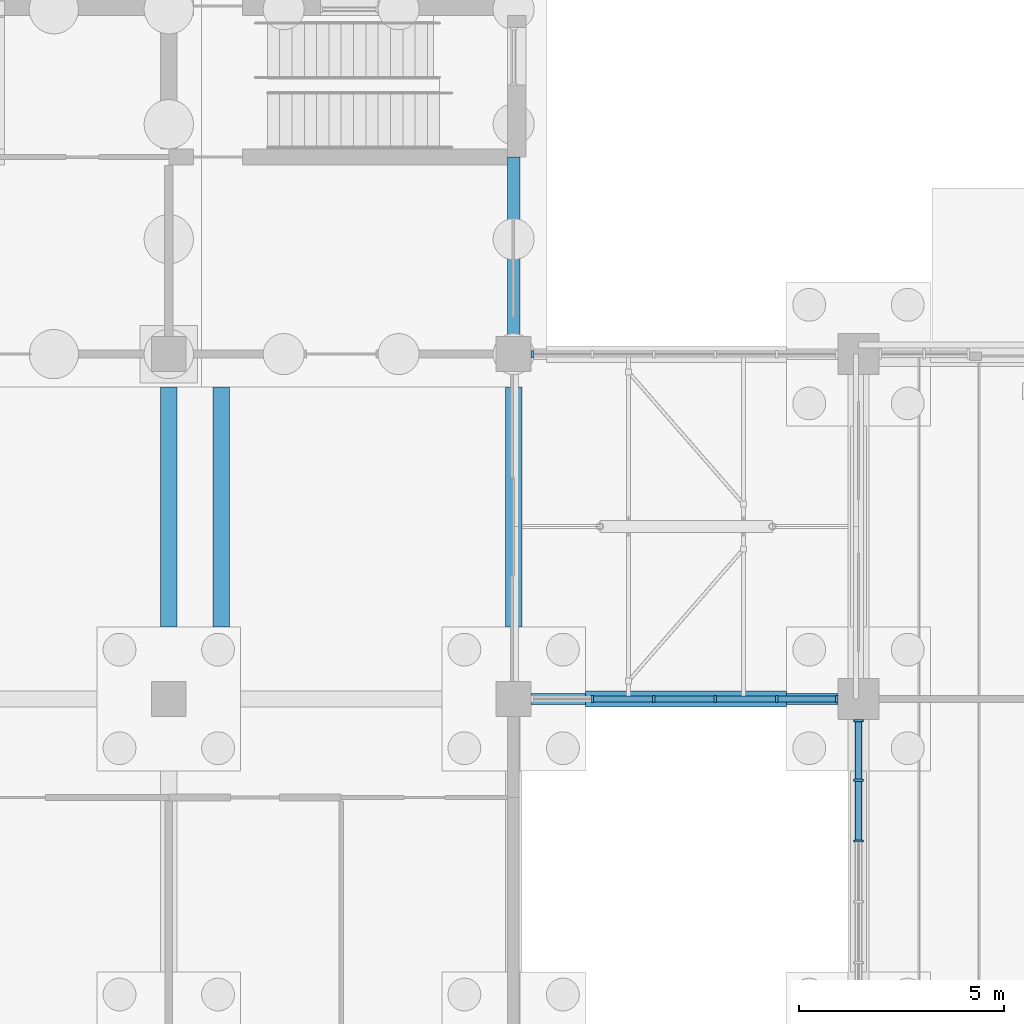
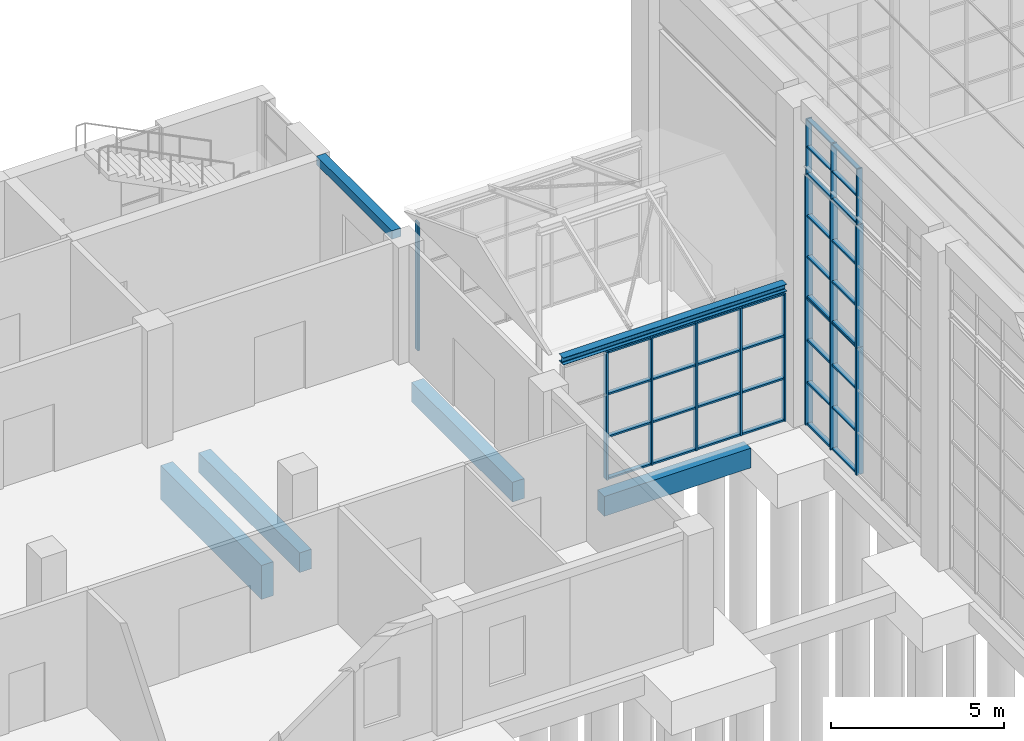
# One storey, part 51 of 138: 53 members, 6 beams, 5 elements without a shape of their own.
"""IFC4 building model written with IfcOpenShell, lengths in metres."""

from ifc_helpers import new_model, si_unit, direction, frame, origin, origin_2d, place, context, subcontext, project, spatial, rectangle, i_section, extrude, material, material_profile, profile_set, type_object, element, aggregate, save


model = new_model("IFC4")

# Units and contexts
model_context = context("Model", 3, precision=1e-05, world=origin(), true_north=direction((0.0, 1.0)))
body_context = subcontext(model_context, "Body", "Model", "MODEL_VIEW")
ifc_project = project(units=[si_unit("LENGTHUNIT", "METRE"), si_unit("AREAUNIT", "SQUARE_METRE"), si_unit("VOLUMEUNIT", "CUBIC_METRE"), si_unit("PLANEANGLEUNIT", "RADIAN"), si_unit("MASSUNIT", "GRAM", prefix="KILO")], contexts=[model_context])

# Site, building, storey
site_placement = place(None, origin())
site = spatial("IfcSite", under=ifc_project, at=site_placement, CompositionType="ELEMENT")
building_placement = place(site_placement, origin())
building = spatial("IfcBuilding", under=site, at=building_placement, Name="Yavir Park General Hospital", CompositionType="ELEMENT")
storey_placement = place(building_placement, origin())
storey = spatial("IfcBuildingStorey", under=building, at=storey_placement, Name="L00", CompositionType="ELEMENT", Elevation=0.0)

# Curtain wall, members
ifc_material_1 = material(Name="Aluminium curtain wall frame with insulated glazing", Category="aluminium")
curtain_wall_type_1 = type_object("IfcCurtainWallType", Name="Glazed link walls, 4525 high, 1400 module", PredefinedType="NOTDEFINED", material=ifc_material_1)
curtain_wall_1_placement = place(storey_placement, origin())
curtain_wall_1 = element("IfcCurtainWall", 1, at=curtain_wall_1_placement, inside=storey, type_object=curtain_wall_type_1, Name="CW38 L00-017", PredefinedType="NOTDEFINED")
ifc_material_2 = material(Name="Aluminium", Category="aluminium")
ifc_material_profile_1 = material_profile(ifc_material_2, rectangle(XDim=0.179931640625, YDim=0.06005859375, at=origin_2d()), Name="AL 60x180")
ifc_profile_set_1 = profile_set([ifc_material_profile_1], Name="Aluminium")
member_type_1 = type_object("IfcMemberType", Name="Glazed link walls, 4525 high mullion 60 x 180", PredefinedType="MULLION", material=ifc_profile_set_1)
member_1_placement = place(storey_placement, frame((69.1201171875, 58.800048828125, 0.0), z_axis=(0.0, 0.0, 1.0), x_axis=(0.0, 1.0, 0.0)))
member_1 = element("IfcMember", 2, at=member_1_placement, type_object=member_type_1, Name="CW38 mullion 2", PredefinedType="MULLION", context=body_context, shape_type="SweptSolid", body=[
    extrude(rectangle(XDim=0.179931640625, YDim=0.06005859375, at=origin_2d()), origin(), (0.0, 0.0, 1.0), 4.52490234375),
])
member_2_placement = place(storey_placement, frame((70.614990234375, 58.800048828125, 0.0), z_axis=(0.0, 0.0, 1.0), x_axis=(0.0, 1.0, 0.0)))
member_2 = element("IfcMember", 3, at=member_2_placement, type_object=member_type_1, Name="CW38 mullion 3", PredefinedType="MULLION", context=body_context, shape_type="SweptSolid", body=[
    extrude(rectangle(XDim=0.179931640625, YDim=0.06005859375, at=origin_2d()), origin(), (0.0, 0.0, 1.0), 4.52490234375),
])
member_3_placement = place(storey_placement, frame((72.110107421875, 58.800048828125, 0.0), z_axis=(0.0, 0.0, 1.0), x_axis=(0.0, 1.0, 0.0)))
member_3 = element("IfcMember", 4, at=member_3_placement, type_object=member_type_1, Name="CW38 mullion 4", PredefinedType="MULLION", context=body_context, shape_type="SweptSolid", body=[
    extrude(rectangle(XDim=0.179931640625, YDim=0.06005859375, at=origin_2d()), origin(), (0.0, 0.0, 1.0), 4.52490234375),
])
member_4_placement = place(storey_placement, frame((73.60498046875, 58.800048828125, 0.0), z_axis=(0.0, 0.0, 1.0), x_axis=(0.0, 1.0, 0.0)))
member_4 = element("IfcMember", 5, at=member_4_placement, type_object=member_type_1, Name="CW38 mullion 5", PredefinedType="MULLION", context=body_context, shape_type="SweptSolid", body=[
    extrude(rectangle(XDim=0.179931640625, YDim=0.06005859375, at=origin_2d()), origin(), (0.0, 0.0, 1.0), 4.52490234375),
])
member_5_placement = place(storey_placement, frame((75.070068359375, 58.800048828125, 0.0), z_axis=(0.0, 0.0, 1.0), x_axis=(0.0, 1.0, 0.0)))
member_5 = element("IfcMember", 6, at=member_5_placement, type_object=member_type_1, Name="CW38 mullion 6", PredefinedType="MULLION", context=body_context, shape_type="SweptSolid", body=[
    extrude(rectangle(XDim=0.179931640625, YDim=0.06005859375, at=origin_2d()), origin(), (0.0, 0.0, 1.0), 4.52490234375),
])

# Curtain wall, member
curtain_wall_2_placement = place(storey_placement, origin())
curtain_wall_2 = element("IfcCurtainWall", 7, at=curtain_wall_2_placement, inside=storey, type_object=curtain_wall_type_1, Name="CW38 L00-022", PredefinedType="NOTDEFINED")
member_6_placement = place(storey_placement, frame((67.655029296875, 67.199951171875, 0.0), z_axis=(0.0, 0.0, 1.0), x_axis=(0.0, 1.0, 0.0)))
member_6 = element("IfcMember", 8, at=member_6_placement, type_object=member_type_1, Name="CW38 mullion 1", PredefinedType="MULLION", context=body_context, shape_type="SweptSolid", body=[
    extrude(rectangle(XDim=0.179931640625, YDim=0.06005859375, at=origin_2d()), origin(), (0.0, 0.0, 1.0), 4.52490234375),
])
aggregate(curtain_wall_2, [member_6])

# Member
ifc_material_3 = material(Name="Aluminium", Category="aluminium")
ifc_material_profile_2 = material_profile(ifc_material_3, rectangle(XDim=0.139892578125, YDim=0.06005859375, at=origin_2d()), Name="AL 140x60")
ifc_profile_set_2 = profile_set([ifc_material_profile_2], Name="Aluminium")
member_type_2 = type_object("IfcMemberType", Name="Glazed link walls, 4525 high transom 60 x 140", PredefinedType="MULLION", material=ifc_profile_set_2)
member_7_placement = place(storey_placement, frame((69.14990234375, 58.800048828125, 0.030029296875), z_axis=(1.0, 0.0, 0.0), x_axis=(0.0, 1.0, 0.0)))
member_7 = element("IfcMember", 9, at=member_7_placement, type_object=member_type_2, Name="CW38 transom 2.1", PredefinedType="MULLION", context=body_context, shape_type="SweptSolid", body=[
    extrude(rectangle(XDim=0.139892578125, YDim=0.06005859375, at=origin_2d()), origin(), (0.0, 0.0, 1.0), 1.43505859375),
])

member_8_placement = place(storey_placement, frame((69.14990234375, 58.800048828125, 1.50830078125), z_axis=(1.0, 0.0, 0.0), x_axis=(0.0, 1.0, 0.0)))
member_8 = element("IfcMember", 10, at=member_8_placement, type_object=member_type_2, Name="CW38 transom 2.2", PredefinedType="MULLION", context=body_context, shape_type="SweptSolid", body=[
    extrude(rectangle(XDim=0.139892578125, YDim=0.06005859375, at=origin_2d()), origin(), (0.0, 0.0, 1.0), 1.43505859375),
])

member_9_placement = place(storey_placement, frame((69.14990234375, 58.800048828125, 3.0166015625), z_axis=(1.0, 0.0, 0.0), x_axis=(0.0, 1.0, 0.0)))
member_9 = element("IfcMember", 11, at=member_9_placement, type_object=member_type_2, Name="CW38 transom 2.3", PredefinedType="MULLION", context=body_context, shape_type="SweptSolid", body=[
    extrude(rectangle(XDim=0.139892578125, YDim=0.06005859375, at=origin_2d()), origin(), (0.0, 0.0, 1.0), 1.43505859375),
])

member_10_placement = place(storey_placement, frame((69.14990234375, 58.800048828125, 4.4951171875), z_axis=(1.0, 0.0, 0.0), x_axis=(0.0, 1.0, 0.0)))
member_10 = element("IfcMember", 12, at=member_10_placement, type_object=member_type_2, Name="CW38 transom 2.4", PredefinedType="MULLION", context=body_context, shape_type="SweptSolid", body=[
    extrude(rectangle(XDim=0.139892578125, YDim=0.06005859375, at=origin_2d()), origin(), (0.0, 0.0, 1.0), 1.43505859375),
])

member_11_placement = place(storey_placement, frame((70.64501953125, 58.800048828125, 0.030029296875), z_axis=(1.0, 0.0, 0.0), x_axis=(0.0, 1.0, 0.0)))
member_11 = element("IfcMember", 13, at=member_11_placement, type_object=member_type_2, Name="CW38 transom 3.1", PredefinedType="MULLION", context=body_context, shape_type="SweptSolid", body=[
    extrude(rectangle(XDim=0.139892578125, YDim=0.06005859375, at=origin_2d()), origin(), (0.0, 0.0, 1.0), 1.43505859375),
])

member_12_placement = place(storey_placement, frame((70.64501953125, 58.800048828125, 1.50830078125), z_axis=(1.0, 0.0, 0.0), x_axis=(0.0, 1.0, 0.0)))
member_12 = element("IfcMember", 14, at=member_12_placement, type_object=member_type_2, Name="CW38 transom 3.2", PredefinedType="MULLION", context=body_context, shape_type="SweptSolid", body=[
    extrude(rectangle(XDim=0.139892578125, YDim=0.06005859375, at=origin_2d()), origin(), (0.0, 0.0, 1.0), 1.43505859375),
])

member_13_placement = place(storey_placement, frame((70.64501953125, 58.800048828125, 3.0166015625), z_axis=(1.0, 0.0, 0.0), x_axis=(0.0, 1.0, 0.0)))
member_13 = element("IfcMember", 15, at=member_13_placement, type_object=member_type_2, Name="CW38 transom 3.3", PredefinedType="MULLION", context=body_context, shape_type="SweptSolid", body=[
    extrude(rectangle(XDim=0.139892578125, YDim=0.06005859375, at=origin_2d()), origin(), (0.0, 0.0, 1.0), 1.43505859375),
])

member_14_placement = place(storey_placement, frame((70.64501953125, 58.800048828125, 4.4951171875), z_axis=(1.0, 0.0, 0.0), x_axis=(0.0, 1.0, 0.0)))
member_14 = element("IfcMember", 16, at=member_14_placement, type_object=member_type_2, Name="CW38 transom 3.4", PredefinedType="MULLION", context=body_context, shape_type="SweptSolid", body=[
    extrude(rectangle(XDim=0.139892578125, YDim=0.06005859375, at=origin_2d()), origin(), (0.0, 0.0, 1.0), 1.43505859375),
])

member_15_placement = place(storey_placement, frame((72.139892578125, 58.800048828125, 0.030029296875), z_axis=(1.0, 0.0, 0.0), x_axis=(0.0, 1.0, 0.0)))
member_15 = element("IfcMember", 17, at=member_15_placement, type_object=member_type_2, Name="CW38 transom 4.1", PredefinedType="MULLION", context=body_context, shape_type="SweptSolid", body=[
    extrude(rectangle(XDim=0.139892578125, YDim=0.06005859375, at=origin_2d()), origin(), (0.0, 0.0, 1.0), 1.43505859375),
])

member_16_placement = place(storey_placement, frame((72.139892578125, 58.800048828125, 1.50830078125), z_axis=(1.0, 0.0, 0.0), x_axis=(0.0, 1.0, 0.0)))
member_16 = element("IfcMember", 18, at=member_16_placement, type_object=member_type_2, Name="CW38 transom 4.2", PredefinedType="MULLION", context=body_context, shape_type="SweptSolid", body=[
    extrude(rectangle(XDim=0.139892578125, YDim=0.06005859375, at=origin_2d()), origin(), (0.0, 0.0, 1.0), 1.43505859375),
])

member_17_placement = place(storey_placement, frame((72.139892578125, 58.800048828125, 3.0166015625), z_axis=(1.0, 0.0, 0.0), x_axis=(0.0, 1.0, 0.0)))
member_17 = element("IfcMember", 19, at=member_17_placement, type_object=member_type_2, Name="CW38 transom 4.3", PredefinedType="MULLION", context=body_context, shape_type="SweptSolid", body=[
    extrude(rectangle(XDim=0.139892578125, YDim=0.06005859375, at=origin_2d()), origin(), (0.0, 0.0, 1.0), 1.43505859375),
])

member_18_placement = place(storey_placement, frame((72.139892578125, 58.800048828125, 4.4951171875), z_axis=(1.0, 0.0, 0.0), x_axis=(0.0, 1.0, 0.0)))
member_18 = element("IfcMember", 20, at=member_18_placement, type_object=member_type_2, Name="CW38 transom 4.4", PredefinedType="MULLION", context=body_context, shape_type="SweptSolid", body=[
    extrude(rectangle(XDim=0.139892578125, YDim=0.06005859375, at=origin_2d()), origin(), (0.0, 0.0, 1.0), 1.43505859375),
])

member_19_placement = place(storey_placement, frame((73.635009765625, 58.800048828125, 0.030029296875), z_axis=(1.0, 0.0, 0.0), x_axis=(0.0, 1.0, 0.0)))
member_19 = element("IfcMember", 21, at=member_19_placement, type_object=member_type_2, Name="CW38 transom 5.1", PredefinedType="MULLION", context=body_context, shape_type="SweptSolid", body=[
    extrude(rectangle(XDim=0.139892578125, YDim=0.06005859375, at=origin_2d()), origin(), (0.0, 0.0, 1.0), 1.405029296875),
])

member_20_placement = place(storey_placement, frame((73.635009765625, 58.800048828125, 1.50830078125), z_axis=(1.0, 0.0, 0.0), x_axis=(0.0, 1.0, 0.0)))
member_20 = element("IfcMember", 22, at=member_20_placement, type_object=member_type_2, Name="CW38 transom 5.2", PredefinedType="MULLION", context=body_context, shape_type="SweptSolid", body=[
    extrude(rectangle(XDim=0.139892578125, YDim=0.06005859375, at=origin_2d()), origin(), (0.0, 0.0, 1.0), 1.405029296875),
])

member_21_placement = place(storey_placement, frame((73.635009765625, 58.800048828125, 3.0166015625), z_axis=(1.0, 0.0, 0.0), x_axis=(0.0, 1.0, 0.0)))
member_21 = element("IfcMember", 23, at=member_21_placement, type_object=member_type_2, Name="CW38 transom 5.3", PredefinedType="MULLION", context=body_context, shape_type="SweptSolid", body=[
    extrude(rectangle(XDim=0.139892578125, YDim=0.06005859375, at=origin_2d()), origin(), (0.0, 0.0, 1.0), 1.405029296875),
])

member_22_placement = place(storey_placement, frame((73.635009765625, 58.800048828125, 4.4951171875), z_axis=(1.0, 0.0, 0.0), x_axis=(0.0, 1.0, 0.0)))
member_22 = element("IfcMember", 24, at=member_22_placement, type_object=member_type_2, Name="CW38 transom 5.4", PredefinedType="MULLION", context=body_context, shape_type="SweptSolid", body=[
    extrude(rectangle(XDim=0.139892578125, YDim=0.06005859375, at=origin_2d()), origin(), (0.0, 0.0, 1.0), 1.405029296875),
])

aggregate(curtain_wall_1, [member_1, member_2, member_3, member_4, member_5, member_7, member_8, member_9, member_10, member_11, member_12, member_13, member_14, member_15, member_16, member_17, member_18, member_19, member_20, member_21, member_22])

# Beam
ifc_material_4 = material(Name="Steel S355", Category="steel")
ifc_material_profile_3 = material_profile(ifc_material_4, i_section(OverallWidth=0.260009765625, OverallDepth=0.25, WebThickness=0.007568359375, FlangeThickness=0.012451171875, FilletRadius=0.02392578125, at=origin_2d()), Name="HEA260")
ifc_profile_set_3 = profile_set([ifc_material_profile_3], Name="Steel S355")
beam_type_1 = type_object("IfcBeamType", Name="HEA 260 eave beam", PredefinedType="BEAM", material=ifc_profile_set_3)
beam_1_placement = place(storey_placement, frame((67.625, 58.800048828125, 4.7470703125), z_axis=(1.0, 0.0, 0.0), x_axis=(0.0, 1.0, 0.0)))
element("IfcBeam", 25, at=beam_1_placement, inside=storey, type_object=beam_type_1, Name="RF:LINK:frame:E:0", PredefinedType="BEAM", context=body_context, shape_type="SweptSolid", body=[
    extrude(i_section(OverallWidth=0.260009765625, OverallDepth=0.25, WebThickness=0.007568359375, FlangeThickness=0.012451171875, FilletRadius=0.02392578125, at=origin_2d()), origin(), (0.0, 0.0, 1.0), 7.47509765625),
])

# Curtain wall, members
ifc_material_5 = material(Name="Aluminium curtain wall frame with insulated glazing", Category="aluminium")
curtain_wall_type_2 = type_object("IfcCurtainWallType", Name="Main hall glazing, clerestory band, 1970 high, 1400 module", PredefinedType="NOTDEFINED", material=ifc_material_5)
curtain_wall_3_placement = place(storey_placement, origin())
curtain_wall_3 = element("IfcCurtainWall", 26, at=curtain_wall_3_placement, inside=storey, type_object=curtain_wall_type_2, Name="CW35 L00-055", PredefinedType="NOTDEFINED")
ifc_material_6 = material(Name="Aluminium", Category="aluminium")
ifc_material_profile_4 = material_profile(ifc_material_6, rectangle(XDim=0.199951171875, YDim=0.050048828125, at=origin_2d()), Name="AL 50x200")
ifc_profile_set_4 = profile_set([ifc_material_profile_4], Name="Aluminium")
member_type_3 = type_object("IfcMemberType", Name="Main hall glazing, clerestory band, 1970 high mullion 50 x 200", PredefinedType="MULLION", material=ifc_profile_set_4)
member_23_placement = place(storey_placement, frame((75.60009765625, 55.340087890625, 8.844970703125), z_axis=(0.0, 0.0, 1.0), x_axis=(-1.0, 0.0, 0.0)))
member_23 = element("IfcMember", 27, at=member_23_placement, type_object=member_type_3, Name="CW35 mullion 4", PredefinedType="MULLION", context=body_context, shape_type="SweptSolid", body=[
    extrude(rectangle(XDim=0.199951171875, YDim=0.050048828125, at=origin_2d()), origin(), (0.0, 0.0, 1.0), 1.969970703125),
])
member_24_placement = place(storey_placement, frame((75.60009765625, 56.820068359375, 8.844970703125), z_axis=(0.0, 0.0, 1.0), x_axis=(-1.0, 0.0, 0.0)))
member_24 = element("IfcMember", 28, at=member_24_placement, type_object=member_type_3, Name="CW35 mullion 5", PredefinedType="MULLION", context=body_context, shape_type="SweptSolid", body=[
    extrude(rectangle(XDim=0.199951171875, YDim=0.050048828125, at=origin_2d()), origin(), (0.0, 0.0, 1.0), 1.969970703125),
])
member_25_placement = place(storey_placement, frame((75.60009765625, 58.27490234375, 8.844970703125), z_axis=(0.0, 0.0, 1.0), x_axis=(-1.0, 0.0, 0.0)))
member_25 = element("IfcMember", 29, at=member_25_placement, type_object=member_type_3, Name="CW35 mullion 6", PredefinedType="MULLION", context=body_context, shape_type="SweptSolid", body=[
    extrude(rectangle(XDim=0.199951171875, YDim=0.050048828125, at=origin_2d()), origin(), (0.0, 0.0, 1.0), 1.969970703125),
])
ifc_material_7 = material(Name="Aluminium", Category="aluminium")
ifc_material_profile_5 = material_profile(ifc_material_7, rectangle(XDim=0.139892578125, YDim=0.050048828125, at=origin_2d()), Name="AL 140x50")
ifc_profile_set_5 = profile_set([ifc_material_profile_5], Name="Aluminium")
member_type_4 = type_object("IfcMemberType", Name="Main hall glazing, clerestory band, 1970 high transom 50 x 140", PredefinedType="MULLION", material=ifc_profile_set_5)
member_26_placement = place(storey_placement, frame((75.60009765625, 55.364990234375, 8.8701171875), z_axis=(0.0, 1.0, 0.0), x_axis=(-1.0, 0.0, 0.0)))
member_26 = element("IfcMember", 30, at=member_26_placement, type_object=member_type_4, Name="CW35 transom 4.1", PredefinedType="MULLION", context=body_context, shape_type="SweptSolid", body=[
    extrude(rectangle(XDim=0.139892578125, YDim=0.050048828125, at=origin_2d()), origin(), (0.0, 0.0, 1.0), 1.429931640625),
])
member_27_placement = place(storey_placement, frame((75.60009765625, 55.364990234375, 9.830078125), z_axis=(0.0, 1.0, 0.0), x_axis=(-1.0, 0.0, 0.0)))
member_27 = element("IfcMember", 31, at=member_27_placement, type_object=member_type_4, Name="CW35 transom 4.2", PredefinedType="MULLION", context=body_context, shape_type="SweptSolid", body=[
    extrude(rectangle(XDim=0.139892578125, YDim=0.050048828125, at=origin_2d()), origin(), (0.0, 0.0, 1.0), 1.429931640625),
])
member_28_placement = place(storey_placement, frame((75.60009765625, 55.364990234375, 10.7900390625), z_axis=(0.0, 1.0, 0.0), x_axis=(-1.0, 0.0, 0.0)))
member_28 = element("IfcMember", 32, at=member_28_placement, type_object=member_type_4, Name="CW35 transom 4.3", PredefinedType="MULLION", context=body_context, shape_type="SweptSolid", body=[
    extrude(rectangle(XDim=0.139892578125, YDim=0.050048828125, at=origin_2d()), origin(), (0.0, 0.0, 1.0), 1.429931640625),
])
member_29_placement = place(storey_placement, frame((75.60009765625, 56.844970703125, 8.8701171875), z_axis=(0.0, 1.0, 0.0), x_axis=(-1.0, 0.0, 0.0)))
member_29 = element("IfcMember", 33, at=member_29_placement, type_object=member_type_4, Name="CW35 transom 5.1", PredefinedType="MULLION", context=body_context, shape_type="SweptSolid", body=[
    extrude(rectangle(XDim=0.139892578125, YDim=0.050048828125, at=origin_2d()), origin(), (0.0, 0.0, 1.0), 1.405029296875),
])
member_30_placement = place(storey_placement, frame((75.60009765625, 56.844970703125, 9.830078125), z_axis=(0.0, 1.0, 0.0), x_axis=(-1.0, 0.0, 0.0)))
member_30 = element("IfcMember", 34, at=member_30_placement, type_object=member_type_4, Name="CW35 transom 5.2", PredefinedType="MULLION", context=body_context, shape_type="SweptSolid", body=[
    extrude(rectangle(XDim=0.139892578125, YDim=0.050048828125, at=origin_2d()), origin(), (0.0, 0.0, 1.0), 1.405029296875),
])
member_31_placement = place(storey_placement, frame((75.60009765625, 56.844970703125, 10.7900390625), z_axis=(0.0, 1.0, 0.0), x_axis=(-1.0, 0.0, 0.0)))
member_31 = element("IfcMember", 35, at=member_31_placement, type_object=member_type_4, Name="CW35 transom 5.3", PredefinedType="MULLION", context=body_context, shape_type="SweptSolid", body=[
    extrude(rectangle(XDim=0.139892578125, YDim=0.050048828125, at=origin_2d()), origin(), (0.0, 0.0, 1.0), 1.405029296875),
])
aggregate(curtain_wall_3, [member_23, member_24, member_25, member_26, member_27, member_28, member_29, member_30, member_31])

ifc_material_8 = material(Name="Aluminium curtain wall frame with insulated glazing", Category="aluminium")
curtain_wall_type_3 = type_object("IfcCurtainWallType", Name="Main hall glazing, lower band, 4500 high, 1400 module", PredefinedType="NOTDEFINED", material=ifc_material_8)
curtain_wall_4_placement = place(storey_placement, origin())
curtain_wall_4 = element("IfcCurtainWall", 36, at=curtain_wall_4_placement, inside=storey, type_object=curtain_wall_type_3, Name="CW33 L00-053", PredefinedType="NOTDEFINED")
ifc_material_9 = material(Name="Aluminium", Category="aluminium")
ifc_material_profile_6 = material_profile(ifc_material_9, rectangle(XDim=0.239990234375, YDim=0.06005859375, at=origin_2d()), Name="AL 60x240")
ifc_profile_set_6 = profile_set([ifc_material_profile_6], Name="Aluminium")
member_type_5 = type_object("IfcMemberType", Name="Main hall glazing, lower band, 4500 high mullion 60 x 240", PredefinedType="MULLION", material=ifc_profile_set_6)
member_32_placement = place(storey_placement, frame((75.60009765625, 55.340087890625, 0.0), z_axis=(0.0, 0.0, 1.0), x_axis=(-1.0, 0.0, 0.0)))
member_32 = element("IfcMember", 37, at=member_32_placement, type_object=member_type_5, Name="CW33 mullion 4", PredefinedType="MULLION", context=body_context, shape_type="SweptSolid", body=[
    extrude(rectangle(XDim=0.239990234375, YDim=0.06005859375, at=origin_2d()), origin(), (0.0, 0.0, 1.0), 4.5),
])
member_33_placement = place(storey_placement, frame((75.60009765625, 56.820068359375, 0.0), z_axis=(0.0, 0.0, 1.0), x_axis=(-1.0, 0.0, 0.0)))
member_33 = element("IfcMember", 38, at=member_33_placement, type_object=member_type_5, Name="CW33 mullion 5", PredefinedType="MULLION", context=body_context, shape_type="SweptSolid", body=[
    extrude(rectangle(XDim=0.239990234375, YDim=0.06005859375, at=origin_2d()), origin(), (0.0, 0.0, 1.0), 4.5),
])
member_34_placement = place(storey_placement, frame((75.60009765625, 58.27001953125, 0.0), z_axis=(0.0, 0.0, 1.0), x_axis=(-1.0, 0.0, 0.0)))
member_34 = element("IfcMember", 39, at=member_34_placement, type_object=member_type_5, Name="CW33 mullion 6", PredefinedType="MULLION", context=body_context, shape_type="SweptSolid", body=[
    extrude(rectangle(XDim=0.239990234375, YDim=0.06005859375, at=origin_2d()), origin(), (0.0, 0.0, 1.0), 4.5),
])
ifc_material_10 = material(Name="Aluminium", Category="aluminium")
ifc_material_profile_7 = material_profile(ifc_material_10, rectangle(XDim=0.159912109375, YDim=0.06005859375, at=origin_2d()), Name="AL 160x60")
ifc_profile_set_7 = profile_set([ifc_material_profile_7], Name="Aluminium")
member_type_6 = type_object("IfcMemberType", Name="Main hall glazing, lower band, 4500 high transom 60 x 160", PredefinedType="MULLION", material=ifc_profile_set_7)
member_35_placement = place(storey_placement, frame((75.60009765625, 55.3701171875, 0.030029296875), z_axis=(0.0, 1.0, 0.0), x_axis=(-1.0, 0.0, 0.0)))
member_35 = element("IfcMember", 40, at=member_35_placement, type_object=member_type_6, Name="CW33 transom 4.1", PredefinedType="MULLION", context=body_context, shape_type="SweptSolid", body=[
    extrude(rectangle(XDim=0.159912109375, YDim=0.06005859375, at=origin_2d()), origin(), (0.0, 0.0, 1.0), 1.419921875),
])
member_36_placement = place(storey_placement, frame((75.60009765625, 55.3701171875, 1.5), z_axis=(0.0, 1.0, 0.0), x_axis=(-1.0, 0.0, 0.0)))
member_36 = element("IfcMember", 41, at=member_36_placement, type_object=member_type_6, Name="CW33 transom 4.2", PredefinedType="MULLION", context=body_context, shape_type="SweptSolid", body=[
    extrude(rectangle(XDim=0.159912109375, YDim=0.06005859375, at=origin_2d()), origin(), (0.0, 0.0, 1.0), 1.419921875),
])
member_37_placement = place(storey_placement, frame((75.60009765625, 55.3701171875, 3.0), z_axis=(0.0, 1.0, 0.0), x_axis=(-1.0, 0.0, 0.0)))
member_37 = element("IfcMember", 42, at=member_37_placement, type_object=member_type_6, Name="CW33 transom 4.3", PredefinedType="MULLION", context=body_context, shape_type="SweptSolid", body=[
    extrude(rectangle(XDim=0.159912109375, YDim=0.06005859375, at=origin_2d()), origin(), (0.0, 0.0, 1.0), 1.419921875),
])
member_38_placement = place(storey_placement, frame((75.60009765625, 55.3701171875, 4.469970703125), z_axis=(0.0, 1.0, 0.0), x_axis=(-1.0, 0.0, 0.0)))
member_38 = element("IfcMember", 43, at=member_38_placement, type_object=member_type_6, Name="CW33 transom 4.4", PredefinedType="MULLION", context=body_context, shape_type="SweptSolid", body=[
    extrude(rectangle(XDim=0.159912109375, YDim=0.06005859375, at=origin_2d()), origin(), (0.0, 0.0, 1.0), 1.419921875),
])
member_39_placement = place(storey_placement, frame((75.60009765625, 56.85009765625, 0.030029296875), z_axis=(0.0, 1.0, 0.0), x_axis=(-1.0, 0.0, 0.0)))
member_39 = element("IfcMember", 44, at=member_39_placement, type_object=member_type_6, Name="CW33 transom 5.1", PredefinedType="MULLION", context=body_context, shape_type="SweptSolid", body=[
    extrude(rectangle(XDim=0.159912109375, YDim=0.06005859375, at=origin_2d()), origin(), (0.0, 0.0, 1.0), 1.389892578125),
])
member_40_placement = place(storey_placement, frame((75.60009765625, 56.85009765625, 1.5), z_axis=(0.0, 1.0, 0.0), x_axis=(-1.0, 0.0, 0.0)))
member_40 = element("IfcMember", 45, at=member_40_placement, type_object=member_type_6, Name="CW33 transom 5.2", PredefinedType="MULLION", context=body_context, shape_type="SweptSolid", body=[
    extrude(rectangle(XDim=0.159912109375, YDim=0.06005859375, at=origin_2d()), origin(), (0.0, 0.0, 1.0), 1.389892578125),
])
member_41_placement = place(storey_placement, frame((75.60009765625, 56.85009765625, 3.0), z_axis=(0.0, 1.0, 0.0), x_axis=(-1.0, 0.0, 0.0)))
member_41 = element("IfcMember", 46, at=member_41_placement, type_object=member_type_6, Name="CW33 transom 5.3", PredefinedType="MULLION", context=body_context, shape_type="SweptSolid", body=[
    extrude(rectangle(XDim=0.159912109375, YDim=0.06005859375, at=origin_2d()), origin(), (0.0, 0.0, 1.0), 1.389892578125),
])
member_42_placement = place(storey_placement, frame((75.60009765625, 56.85009765625, 4.469970703125), z_axis=(0.0, 1.0, 0.0), x_axis=(-1.0, 0.0, 0.0)))
member_42 = element("IfcMember", 47, at=member_42_placement, type_object=member_type_6, Name="CW33 transom 5.4", PredefinedType="MULLION", context=body_context, shape_type="SweptSolid", body=[
    extrude(rectangle(XDim=0.159912109375, YDim=0.06005859375, at=origin_2d()), origin(), (0.0, 0.0, 1.0), 1.389892578125),
])
aggregate(curtain_wall_4, [member_32, member_33, member_34, member_35, member_36, member_37, member_38, member_39, member_40, member_41, member_42])

ifc_material_11 = material(Name="Aluminium curtain wall frame with insulated glazing", Category="aluminium")
curtain_wall_type_4 = type_object("IfcCurtainWallType", Name="Main hall glazing, upper band, 4345 high, 1400 module", PredefinedType="NOTDEFINED", material=ifc_material_11)
curtain_wall_5_placement = place(storey_placement, origin())
curtain_wall_5 = element("IfcCurtainWall", 48, at=curtain_wall_5_placement, inside=storey, type_object=curtain_wall_type_4, Name="CW52 L00-054", PredefinedType="NOTDEFINED")
ifc_material_12 = material(Name="Aluminium", Category="aluminium")
ifc_material_profile_8 = material_profile(ifc_material_12, rectangle(XDim=0.239990234375, YDim=0.06005859375, at=origin_2d()), Name="AL 60x240")
ifc_profile_set_8 = profile_set([ifc_material_profile_8], Name="Aluminium")
member_type_7 = type_object("IfcMemberType", Name="Main hall glazing, upper band, 4345 high mullion 60 x 240", PredefinedType="MULLION", material=ifc_profile_set_8)
member_43_placement = place(storey_placement, frame((75.60009765625, 55.340087890625, 4.5), z_axis=(0.0, 0.0, 1.0), x_axis=(-1.0, 0.0, 0.0)))
member_43 = element("IfcMember", 49, at=member_43_placement, type_object=member_type_7, Name="CW52 mullion 4", PredefinedType="MULLION", context=body_context, shape_type="SweptSolid", body=[
    extrude(rectangle(XDim=0.239990234375, YDim=0.06005859375, at=origin_2d()), origin(), (0.0, 0.0, 1.0), 4.344970703125),
])
member_44_placement = place(storey_placement, frame((75.60009765625, 56.820068359375, 4.5), z_axis=(0.0, 0.0, 1.0), x_axis=(-1.0, 0.0, 0.0)))
member_44 = element("IfcMember", 50, at=member_44_placement, type_object=member_type_7, Name="CW52 mullion 5", PredefinedType="MULLION", context=body_context, shape_type="SweptSolid", body=[
    extrude(rectangle(XDim=0.239990234375, YDim=0.06005859375, at=origin_2d()), origin(), (0.0, 0.0, 1.0), 4.344970703125),
])
member_45_placement = place(storey_placement, frame((75.60009765625, 58.27001953125, 4.5), z_axis=(0.0, 0.0, 1.0), x_axis=(-1.0, 0.0, 0.0)))
member_45 = element("IfcMember", 51, at=member_45_placement, type_object=member_type_7, Name="CW52 mullion 6", PredefinedType="MULLION", context=body_context, shape_type="SweptSolid", body=[
    extrude(rectangle(XDim=0.239990234375, YDim=0.06005859375, at=origin_2d()), origin(), (0.0, 0.0, 1.0), 4.344970703125),
])
ifc_material_13 = material(Name="Aluminium", Category="aluminium")
ifc_material_profile_9 = material_profile(ifc_material_13, rectangle(XDim=0.159912109375, YDim=0.06005859375, at=origin_2d()), Name="AL 160x60")
ifc_profile_set_9 = profile_set([ifc_material_profile_9], Name="Aluminium")
member_type_8 = type_object("IfcMemberType", Name="Main hall glazing, upper band, 4345 high transom 60 x 160", PredefinedType="MULLION", material=ifc_profile_set_9)
member_46_placement = place(storey_placement, frame((75.60009765625, 55.3701171875, 4.530029296875), z_axis=(0.0, 1.0, 0.0), x_axis=(-1.0, 0.0, 0.0)))
member_46 = element("IfcMember", 52, at=member_46_placement, type_object=member_type_8, Name="CW52 transom 4.1", PredefinedType="MULLION", context=body_context, shape_type="SweptSolid", body=[
    extrude(rectangle(XDim=0.159912109375, YDim=0.06005859375, at=origin_2d()), origin(), (0.0, 0.0, 1.0), 1.419921875),
])
member_47_placement = place(storey_placement, frame((75.60009765625, 55.3701171875, 5.9482421875), z_axis=(0.0, 1.0, 0.0), x_axis=(-1.0, 0.0, 0.0)))
member_47 = element("IfcMember", 53, at=member_47_placement, type_object=member_type_8, Name="CW52 transom 4.2", PredefinedType="MULLION", context=body_context, shape_type="SweptSolid", body=[
    extrude(rectangle(XDim=0.159912109375, YDim=0.06005859375, at=origin_2d()), origin(), (0.0, 0.0, 1.0), 1.419921875),
])
member_48_placement = place(storey_placement, frame((75.60009765625, 55.3701171875, 7.396728515625), z_axis=(0.0, 1.0, 0.0), x_axis=(-1.0, 0.0, 0.0)))
member_48 = element("IfcMember", 54, at=member_48_placement, type_object=member_type_8, Name="CW52 transom 4.3", PredefinedType="MULLION", context=body_context, shape_type="SweptSolid", body=[
    extrude(rectangle(XDim=0.159912109375, YDim=0.06005859375, at=origin_2d()), origin(), (0.0, 0.0, 1.0), 1.419921875),
])
member_49_placement = place(storey_placement, frame((75.60009765625, 55.3701171875, 8.81494140625), z_axis=(0.0, 1.0, 0.0), x_axis=(-1.0, 0.0, 0.0)))
member_49 = element("IfcMember", 55, at=member_49_placement, type_object=member_type_8, Name="CW52 transom 4.4", PredefinedType="MULLION", context=body_context, shape_type="SweptSolid", body=[
    extrude(rectangle(XDim=0.159912109375, YDim=0.06005859375, at=origin_2d()), origin(), (0.0, 0.0, 1.0), 1.419921875),
])
member_50_placement = place(storey_placement, frame((75.60009765625, 56.85009765625, 4.530029296875), z_axis=(0.0, 1.0, 0.0), x_axis=(-1.0, 0.0, 0.0)))
member_50 = element("IfcMember", 56, at=member_50_placement, type_object=member_type_8, Name="CW52 transom 5.1", PredefinedType="MULLION", context=body_context, shape_type="SweptSolid", body=[
    extrude(rectangle(XDim=0.159912109375, YDim=0.06005859375, at=origin_2d()), origin(), (0.0, 0.0, 1.0), 1.389892578125),
])
member_51_placement = place(storey_placement, frame((75.60009765625, 56.85009765625, 5.9482421875), z_axis=(0.0, 1.0, 0.0), x_axis=(-1.0, 0.0, 0.0)))
member_51 = element("IfcMember", 57, at=member_51_placement, type_object=member_type_8, Name="CW52 transom 5.2", PredefinedType="MULLION", context=body_context, shape_type="SweptSolid", body=[
    extrude(rectangle(XDim=0.159912109375, YDim=0.06005859375, at=origin_2d()), origin(), (0.0, 0.0, 1.0), 1.389892578125),
])
member_52_placement = place(storey_placement, frame((75.60009765625, 56.85009765625, 7.396728515625), z_axis=(0.0, 1.0, 0.0), x_axis=(-1.0, 0.0, 0.0)))
member_52 = element("IfcMember", 58, at=member_52_placement, type_object=member_type_8, Name="CW52 transom 5.3", PredefinedType="MULLION", context=body_context, shape_type="SweptSolid", body=[
    extrude(rectangle(XDim=0.159912109375, YDim=0.06005859375, at=origin_2d()), origin(), (0.0, 0.0, 1.0), 1.389892578125),
])
member_53_placement = place(storey_placement, frame((75.60009765625, 56.85009765625, 8.81494140625), z_axis=(0.0, 1.0, 0.0), x_axis=(-1.0, 0.0, 0.0)))
member_53 = element("IfcMember", 59, at=member_53_placement, type_object=member_type_8, Name="CW52 transom 5.4", PredefinedType="MULLION", context=body_context, shape_type="SweptSolid", body=[
    extrude(rectangle(XDim=0.159912109375, YDim=0.06005859375, at=origin_2d()), origin(), (0.0, 0.0, 1.0), 1.389892578125),
])
aggregate(curtain_wall_5, [member_43, member_44, member_45, member_46, member_47, member_48, member_49, member_50, member_51, member_52, member_53])

# Beams
ifc_material_14 = material(Name="Concrete C35/45", Category="concrete")
ifc_material_profile_10 = material_profile(ifc_material_14, rectangle(XDim=0.300048828125, YDim=0.300048828125, at=origin_2d()), Name="RC300x300")
ifc_profile_set_10 = profile_set([ifc_material_profile_10], Name="Concrete C35/45")
beam_type_2 = type_object("IfcBeamType", Name="RC BEAM 300x300 edge beam", PredefinedType="BEAM", material=ifc_profile_set_10)
beam_2_placement = place(storey_placement, frame((67.199951171875, 67.625, 3.989990234375), z_axis=(0.0, 1.0, 0.0), x_axis=(-1.0, 0.0, 0.0)))
element("IfcBeam", 60, at=beam_2_placement, inside=storey, type_object=beam_type_2, Name="B:EDGE:L00:046", PredefinedType="BEAM", context=body_context, shape_type="SweptSolid", body=[
    extrude(rectangle(XDim=0.300048828125, YDim=0.300048828125, at=origin_2d()), origin(), (0.0, 0.0, 1.0), 4.375),
])
ifc_material_15 = material(Name="Concrete C35/45", Category="concrete")
ifc_material_profile_11 = material_profile(ifc_material_15, rectangle(XDim=0.39990234375, YDim=1.199951171875, at=origin_2d()), Name="RC400x1200")
ifc_profile_set_11 = profile_set([ifc_material_profile_11], Name="Concrete C35/45")
beam_type_3 = type_object("IfcBeamType", Name="RC BEAM 400x1200 ground beam", PredefinedType="BEAM", material=ifc_profile_set_11)
beam_3_placement = place(storey_placement, frame((58.800048828125, 60.550048828125, -1.050048828125), z_axis=(0.0, 1.0, 0.0), x_axis=(-1.0, 0.0, 0.0)))
element("IfcBeam", 61, at=beam_3_placement, inside=storey, type_object=beam_type_3, Name="B:GND:L00:8H:L00:CPL", PredefinedType="BEAM", context=body_context, shape_type="SweptSolid", body=[
    extrude(rectangle(XDim=0.39990234375, YDim=1.199951171875, at=origin_2d()), origin(), (0.0, 0.0, 1.0), 5.849853515625),
])
ifc_material_16 = material(Name="Concrete C35/45", Category="concrete")
ifc_material_profile_12 = material_profile(ifc_material_16, rectangle(XDim=0.39990234375, YDim=0.699951171875, at=origin_2d()), Name="RC400x700")
ifc_profile_set_12 = profile_set([ifc_material_profile_12], Name="Concrete C35/45")
beam_type_4 = type_object("IfcBeamType", Name="RC BEAM 400x700 ground beam", PredefinedType="BEAM", material=ifc_profile_set_12)
beam_4_placement = place(storey_placement, frame((68.949951171875, 58.800048828125, -0.800048828125), z_axis=(1.0, 0.0, 0.0), x_axis=(0.0, 1.0, 0.0)))
element("IfcBeam", 62, at=beam_4_placement, inside=storey, type_object=beam_type_4, Name="B:GND:L00:9H:L00:10H", PredefinedType="BEAM", context=body_context, shape_type="SweptSolid", body=[
    extrude(rectangle(XDim=0.39990234375, YDim=0.699951171875, at=origin_2d()), origin(), (0.0, 0.0, 1.0), 4.900146484375),
])
for number, where, z_axis, x_axis, name in (
    (63, (60.074951171875, 60.550048828125, -0.800048828125), (0.0, 1.0, 0.0), (-1.0, 0.0, 0.0), "B:GND:L00:8H:L00:CS2"),
    (64, (67.199951171875, 60.550048828125, -0.800048828125), (0.0, 1.0, 0.0), (-1.0, 0.0, 0.0), "B:GND:L00:9H:L00:CS2"),
):
    element("IfcBeam", number, at=place(storey_placement, frame(where, z_axis=z_axis, x_axis=x_axis)), inside=storey, type_object=beam_type_4, Name=name, PredefinedType="BEAM", context=body_context, shape_type="SweptSolid", body=[
        extrude(rectangle(XDim=0.39990234375, YDim=0.699951171875, at=origin_2d()), origin(), (0.0, 0.0, 1.0), 5.849853515625),
    ])

save(model, "model.ifc")
